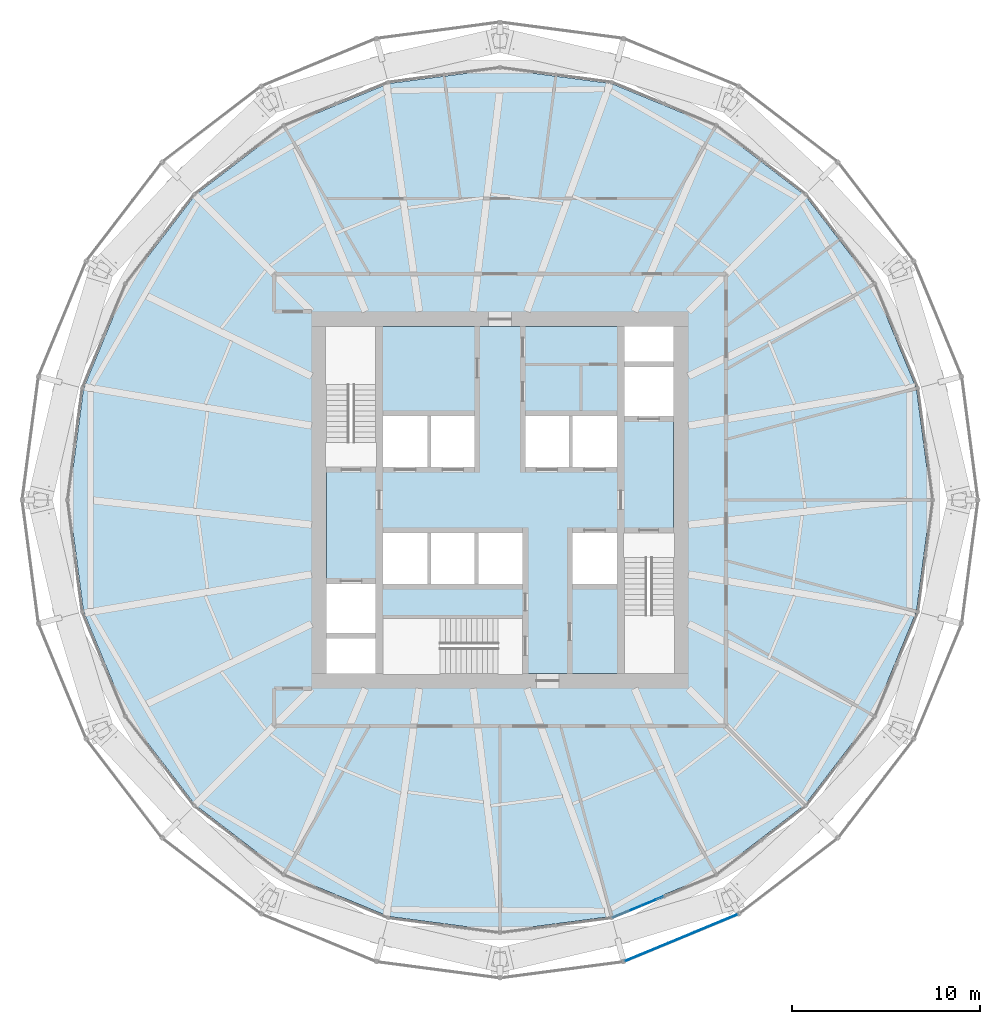
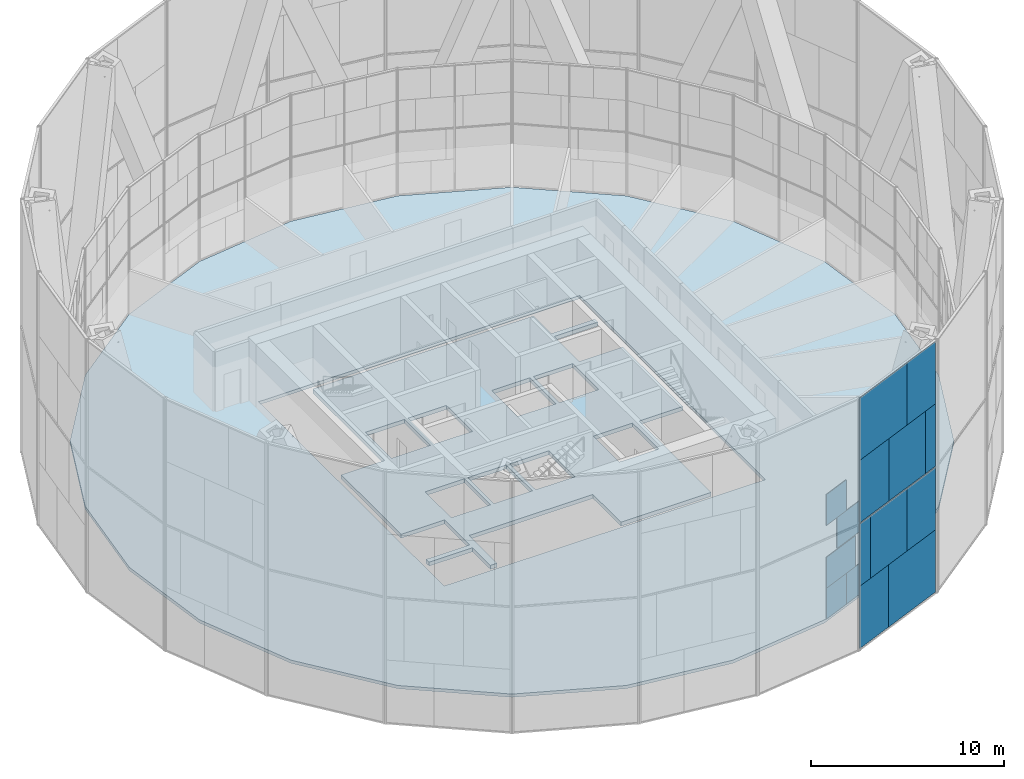
# One storey, part 13 of 22: 15 plates, 2 slabs, 2 elements without a shape of their own.
"""IFC4 building model written with IfcOpenShell, lengths in metres."""

from ifc_helpers import new_model, si_unit, direction, frame, origin, origin_2d, place, context, subcontext, project, spatial, polyline, rectangle, outline, extrude, material, layer, layer_set, type_object, element, aggregate, save


model = new_model("IFC4")

# Units and contexts
model_context = context("Model", 3, precision=1e-05, world=origin(), true_north=direction((0.0, 1.0)))
body_context = subcontext(model_context, "Body", "Model", "MODEL_VIEW")
ifc_project = project(units=[si_unit("LENGTHUNIT", "METRE"), si_unit("AREAUNIT", "SQUARE_METRE"), si_unit("VOLUMEUNIT", "CUBIC_METRE"), si_unit("PLANEANGLEUNIT", "RADIAN"), si_unit("MASSUNIT", "GRAM", prefix="KILO")], contexts=[model_context])

# Site, building, storey
site_placement = place(None, origin())
site = spatial("IfcSite", under=ifc_project, at=site_placement, CompositionType="ELEMENT")
building_placement = place(site_placement, origin())
building = spatial("IfcBuilding", under=site, at=building_placement, Name="Golbaran Civic Tower", CompositionType="ELEMENT")
storey_placement = place(building_placement, frame((0.0, 0.0, 37.0)))
storey = spatial("IfcBuildingStorey", under=building, at=storey_placement, Name="L08", CompositionType="ELEMENT", Elevation=37.0)

# Slabs
ifc_material_1 = material(Name="Concrete LC30/33 lightweight on steel deck", Category="concrete")
ifc_layer_1 = layer(ifc_material_1, 0.199951171875, Name="Concrete LC30/33 lightweight on steel deck")
ifc_layer_set_1 = layer_set([ifc_layer_1], Name="Concrete LC30/33 lightweight on steel deck")
slab_type_1 = type_object("IfcSlabType", Name="COMPOSITE FLOOR SLAB 200", PredefinedType="FLOOR", material=ifc_layer_set_1)
slab_1_placement = place(storey_placement, frame((0.0, 0.0, -0.199951171875)))
element("IfcSlab", 1, at=slab_1_placement, inside=storey, type_object=slab_type_1, Name="Floor slab L08", PredefinedType="FLOOR", context=body_context, shape_type="SweptSolid", body=[
    extrude(outline(polyline([(19.81494140625, -11.440185546875), (16.1787109375, -16.1787109375), (11.440185546875, -19.81494140625), (5.921875, -22.1005859375), (0.0, -22.88037109375), (-5.921875, -22.1005859375), (-11.440185546875, -19.81494140625), (-16.1787109375, -16.1787109375), (-19.81494140625, -11.440185546875), (-22.1005859375, -5.921875), (-22.88037109375, 0.0), (-22.1005859375, 5.921875), (-19.81494140625, 11.440185546875), (-16.1787109375, 16.1787109375), (-11.440185546875, 19.81494140625), (-5.921875, 22.1005859375), (0.0, 22.88037109375), (5.921875, 22.1005859375), (11.440185546875, 19.81494140625), (16.1787109375, 16.1787109375), (19.81494140625, 11.440185546875), (22.1005859375, 5.921875), (22.88037109375, 0.0), (22.1005859375, -5.921875), (19.81494140625, -11.440185546875)]), holes=[polyline([(-9.60009765625, 9.60009765625), (-9.60009765625, -9.60009765625), (9.60009765625, -9.60009765625), (9.60009765625, 9.60009765625), (-9.60009765625, 9.60009765625)])]), origin(), (0.0, 0.0, 1.0), 0.199951171875),
])
ifc_material_2 = material(Name="Concrete C35/45", Category="concrete")
ifc_layer_2 = layer(ifc_material_2, 0.25, Name="Concrete C35/45")
ifc_layer_set_2 = layer_set([ifc_layer_2], Name="Concrete C35/45")
slab_type_2 = type_object("IfcSlabType", Name="CORE FLOOR SLAB 250", PredefinedType="FLOOR", material=ifc_layer_set_2)
slab_2_placement = place(storey_placement, frame((0.0, 0.0, -0.25)))
element("IfcSlab", 2, at=slab_2_placement, inside=storey, type_object=slab_type_2, Name="Core floor slab L08", PredefinedType="FLOOR", context=body_context, shape_type="SweptSolid", body=[
    extrude(outline(polyline([(6.60009765625, -1.75), (6.60009765625, -9.199951171875), (1.199951171875, -9.199951171875), (1.199951171875, -6.300048828125), (-6.199951171875, -6.300048828125), (-6.199951171875, -9.199951171875), (-6.60009765625, -9.199951171875), (-6.60009765625, -7.35009765625), (-9.199951171875, -7.35009765625), (-9.199951171875, -7.050048828125), (-6.60009765625, -7.050048828125), (-6.60009765625, -4.449951171875), (-9.199951171875, -4.449951171875), (-9.199951171875, 1.75), (-6.60009765625, 1.75), (-6.60009765625, 9.199951171875), (6.60009765625, 9.199951171875), (6.60009765625, 7.35009765625), (9.199951171875, 7.35009765625), (9.199951171875, 7.050048828125), (6.60009765625, 7.050048828125), (6.60009765625, 4.449951171875), (9.199951171875, 4.449951171875), (9.199951171875, -1.75), (6.60009765625, -1.75)]), holes=[polyline([(6.199951171875, -1.75), (3.85009765625, -1.75), (3.85009765625, -4.449951171875), (6.199951171875, -4.449951171875), (6.199951171875, -1.75)]), polyline([(6.199951171875, 4.449951171875), (3.85009765625, 4.449951171875), (3.85009765625, 1.75), (6.199951171875, 1.75), (6.199951171875, 4.449951171875)]), polyline([(3.64990234375, 4.449951171875), (1.35009765625, 4.449951171875), (1.35009765625, 1.75), (3.64990234375, 1.75), (3.64990234375, 4.449951171875)]), polyline([(1.199951171875, -1.75), (-1.14990234375, -1.75), (-1.14990234375, -4.449951171875), (1.199951171875, -4.449951171875), (1.199951171875, -1.75)]), polyline([(-1.35009765625, 4.449951171875), (-3.64990234375, 4.449951171875), (-3.64990234375, 1.75), (-1.35009765625, 1.75), (-1.35009765625, 4.449951171875)]), polyline([(-1.35009765625, -1.75), (-3.64990234375, -1.75), (-3.64990234375, -4.449951171875), (-1.35009765625, -4.449951171875), (-1.35009765625, -1.75)]), polyline([(-3.85009765625, -1.75), (-6.199951171875, -1.75), (-6.199951171875, -4.449951171875), (-3.85009765625, -4.449951171875), (-3.85009765625, -1.75)]), polyline([(-3.85009765625, 4.449951171875), (-6.199951171875, 4.449951171875), (-6.199951171875, 1.75), (-3.85009765625, 1.75), (-3.85009765625, 4.449951171875)])]), origin(), (0.0, 0.0, 1.0), 0.25),
])

# Curtain wall, plates
ifc_material_3 = material(Name="Aluminium and glass", Category="aluminium")
curtain_wall_type_1 = type_object("IfcCurtainWallType", Name="INNER SKIN CURTAIN WALL", PredefinedType="NOTDEFINED", material=ifc_material_3)
curtain_wall_1_placement = place(storey_placement, origin())
curtain_wall_1 = element("IfcCurtainWall", 3, at=curtain_wall_1_placement, inside=storey, type_object=curtain_wall_type_1, Name="Inner skin L08 facet 20 CW1", ObjectType="INNER SKIN", PredefinedType="USERDEFINED")
ifc_material_4 = material(Name="Clear insulating glass", Category="glass")
ifc_layer_3 = layer(ifc_material_4, 0.031982421875, Name="Clear insulating glass")
ifc_layer_set_3 = layer_set([ifc_layer_3], Name="Clear insulating glass")
plate_type_1 = type_object("IfcPlateType", Name="INNER SKIN CURTAIN WALL GLAZED PANEL", PredefinedType="CURTAIN_PANEL", material=ifc_layer_set_3)
plate_1_placement = place(storey_placement, frame((8.12744140625, -21.273681640625, 0.06494140625), z_axis=(0.0, 0.0, 1.0), x_axis=(0.923879532511, 0.382683432365, 0.0)))
plate_1 = element("IfcPlate", 4, at=plate_1_placement, type_object=plate_type_1, Name="CW1 panel 1.1 part 2", PredefinedType="CURTAIN_PANEL", context=body_context, shape_type="SweptSolid", body=[
    extrude(rectangle(XDim=1.199462890625, YDim=0.031982421875, at=origin_2d()), origin(), (0.0, 0.0, 1.0), 1.951171875),
])
plate_2_placement = place(storey_placement, frame((6.776611328125, -21.833251953125, 5.98388671875), z_axis=(0.0, 0.0, 1.0), x_axis=(0.923879532511, 0.382683432365, 0.0)))
plate_2 = element("IfcPlate", 5, at=plate_2_placement, type_object=plate_type_1, Name="CW1 panel 1.2 part 3", PredefinedType="CURTAIN_PANEL", context=body_context, shape_type="SweptSolid", body=[
    extrude(rectangle(XDim=1.675048828125, YDim=0.031982421875, at=origin_2d()), origin(), (0.0, 0.0, 1.0), 1.951171875),
])
ifc_material_5 = material(Name="Aluminium faced opaque infill panel", Category="aluminium")
ifc_layer_4 = layer(ifc_material_5, 0.031982421875, Name="Aluminium faced opaque infill panel")
ifc_layer_set_4 = layer_set([ifc_layer_4], Name="Aluminium faced opaque infill panel")
plate_type_2 = type_object("IfcPlateType", Name="INNER SKIN CURTAIN WALL OPAQUE INFILL PANEL", PredefinedType="CURTAIN_PANEL", material=ifc_layer_set_4)
plate_3_placement = place(storey_placement, frame((6.7880859375, -21.828369140625, 0.06494140625), z_axis=(0.0, 0.0, 1.0), x_axis=(0.923879532511, 0.382683432365, 0.0)))
plate_3 = element("IfcPlate", 6, at=plate_3_placement, type_object=plate_type_2, Name="CW1 infill panel 1.1 part 1", PredefinedType="CURTAIN_PANEL", context=body_context, shape_type="SweptSolid", body=[
    extrude(rectangle(XDim=1.699951171875, YDim=0.031982421875, at=origin_2d()), origin(), (0.0, 0.0, 1.0), 1.951171875),
])
plate_4_placement = place(storey_placement, frame((7.142333984375, -21.681640625, 2.016357421875), z_axis=(0.0, 0.0, 1.0), x_axis=(0.923879532511, 0.382683432365, 0.0)))
plate_4 = element("IfcPlate", 7, at=plate_4_placement, type_object=plate_type_2, Name="CW1 infill panel 1.1 part 3", PredefinedType="CURTAIN_PANEL", context=body_context, shape_type="SweptSolid", body=[
    extrude(rectangle(XDim=2.467041015625, YDim=0.031982421875, at=origin_2d()), origin(), (0.0, 0.0, 1.0), 1.951171875),
])
plate_5_placement = place(storey_placement, frame((7.758056640625, -21.4267578125, 4.032470703125), z_axis=(0.0, 0.0, 1.0), x_axis=(0.923879532511, 0.382683432365, 0.0)))
plate_5 = element("IfcPlate", 8, at=plate_5_placement, type_object=plate_type_2, Name="CW1 infill panel 1.2 part 2", PredefinedType="CURTAIN_PANEL", context=body_context, shape_type="SweptSolid", body=[
    extrude(rectangle(XDim=1.99951171875, YDim=0.031982421875, at=origin_2d()), origin(), (0.0, 0.0, 1.0), 1.951171875),
])
aggregate(curtain_wall_1, [plate_3, plate_1, plate_4, plate_5, plate_2])

curtain_wall_type_2 = type_object("IfcCurtainWallType", Name="OUTER SKIN TERRACOTTA SCREEN", PredefinedType="NOTDEFINED", material=ifc_material_3)
curtain_wall_2_placement = place(storey_placement, origin())
curtain_wall_2 = element("IfcCurtainWall", 9, at=curtain_wall_2_placement, inside=storey, type_object=curtain_wall_type_2, Name="Outer skin L08 facet 20 CW3", ObjectType="OUTER SKIN", PredefinedType="USERDEFINED")
ifc_material_6 = material(Name="Clear laminated glass", Category="glass")
ifc_layer_5 = layer(ifc_material_6, 0.0400390625, Name="Clear laminated glass")
ifc_layer_set_5 = layer_set([ifc_layer_5], Name="Clear laminated glass")
plate_type_3 = type_object("IfcPlateType", Name="OUTER SKIN CLEAR GLASS PANEL", PredefinedType="CURTAIN_PANEL", material=ifc_layer_set_5)
plate_6_placement = place(storey_placement, frame((10.760009765625, -22.76416015625, -0.6298828125), z_axis=(0.0, 0.0, 1.0), x_axis=(0.923879532471, 0.382683432462, 0.0)))
plate_6 = element("IfcPlate", 10, at=plate_6_placement, type_object=plate_type_3, Name="CW3 panel 1.1 part 2", PredefinedType="CURTAIN_PANEL", context=body_context, shape_type="SweptSolid", body=[
    extrude(rectangle(XDim=4.0029296875, YDim=0.0400390625, at=origin_2d()), origin(), (0.0, 0.0, 1.0), 3.93994140625),
])
plate_7_placement = place(storey_placement, frame((7.05810546875, -24.297607421875, 3.31005859375), z_axis=(0.0, 0.0, 1.0), x_axis=(0.923879532471, 0.382683432462, 0.0)))
plate_7 = element("IfcPlate", 11, at=plate_7_placement, type_object=plate_type_3, Name="CW3 panel 1.1 part 3", PredefinedType="CURTAIN_PANEL", context=body_context, shape_type="SweptSolid", body=[
    extrude(rectangle(XDim=0.906982421875, YDim=0.0400390625, at=origin_2d()), origin(), (0.0, 0.0, 1.0), 3.93994140625),
])
plate_8_placement = place(storey_placement, frame((11.482421875, -22.46484375, 3.31005859375), z_axis=(0.0, 0.0, 1.0), x_axis=(0.923879532471, 0.382683432462, 0.0)))
plate_8 = element("IfcPlate", 12, at=plate_8_placement, type_object=plate_type_3, Name="CW3 panel 1.1 part 5", PredefinedType="CURTAIN_PANEL", context=body_context, shape_type="SweptSolid", body=[
    extrude(rectangle(XDim=2.43896484375, YDim=0.0400390625, at=origin_2d()), origin(), (0.0, 0.0, 1.0), 3.93994140625),
])
plate_9_placement = place(storey_placement, frame((7.788330078125, -23.9951171875, 7.330078125), z_axis=(0.0, 0.0, 1.0), x_axis=(0.923879532471, 0.382683432462, 0.0)))
plate_9 = element("IfcPlate", 13, at=plate_9_placement, type_object=plate_type_3, Name="CW3 panel 1.2 part 1", PredefinedType="CURTAIN_PANEL", context=body_context, shape_type="SweptSolid", body=[
    extrude(rectangle(XDim=2.488037109375, YDim=0.0400390625, at=origin_2d()), origin(), (0.0, 0.0, 1.0), 3.93994140625),
])
plate_10_placement = place(storey_placement, frame((12.22021484375, -22.1591796875, 7.330078125), z_axis=(0.0, 0.0, 1.0), x_axis=(0.923879532471, 0.382683432462, 0.0)))
plate_10 = element("IfcPlate", 14, at=plate_10_placement, type_object=plate_type_3, Name="CW3 panel 1.2 part 3", PredefinedType="CURTAIN_PANEL", context=body_context, shape_type="SweptSolid", body=[
    extrude(rectangle(XDim=0.841796875, YDim=0.0400390625, at=origin_2d()), origin(), (0.0, 0.0, 1.0), 3.93994140625),
])
plate_11_placement = place(storey_placement, frame((8.50390625, -23.69873046875, 11.27001953125), z_axis=(0.0, 0.0, 1.0), x_axis=(0.923879532471, 0.382683432462, 0.0)))
plate_11 = element("IfcPlate", 15, at=plate_11_placement, type_object=plate_type_3, Name="CW3 panel 1.2 part 4", PredefinedType="CURTAIN_PANEL", context=body_context, shape_type="SweptSolid", body=[
    extrude(rectangle(XDim=4.037109375, YDim=0.0400390625, at=origin_2d()), origin(), (0.0, 0.0, 1.0), 3.93994140625),
])
ifc_material_7 = material(Name="Terracotta baguette screen", Category="masonry")
ifc_layer_6 = layer(ifc_material_7, 0.0400390625, Name="Terracotta baguette screen")
ifc_layer_set_6 = layer_set([ifc_layer_6], Name="Terracotta baguette screen")
plate_type_4 = type_object("IfcPlateType", Name="OUTER SKIN TERRACOTTA INFILL PANEL", PredefinedType="CURTAIN_PANEL", material=ifc_layer_set_6)
plate_12_placement = place(storey_placement, frame((7.77490234375, -24.00048828125, -0.6298828125), z_axis=(0.0, 0.0, 1.0), x_axis=(0.923879532471, 0.382683432462, 0.0)))
plate_12 = element("IfcPlate", 16, at=plate_12_placement, type_object=plate_type_4, Name="CW3 infill panel 1.1 part 1", PredefinedType="CURTAIN_PANEL", context=body_context, shape_type="SweptSolid", body=[
    extrude(rectangle(XDim=2.458984375, YDim=0.0400390625, at=origin_2d()), origin(), (0.0, 0.0, 1.0), 3.93994140625),
])
plate_13_placement = place(storey_placement, frame((8.91650390625, -23.52783203125, 3.31005859375), z_axis=(0.0, 0.0, 1.0), x_axis=(0.923879532471, 0.382683432462, 0.0)))
plate_13 = element("IfcPlate", 17, at=plate_13_placement, type_object=plate_type_4, Name="CW3 infill panel 1.1 part 4", PredefinedType="CURTAIN_PANEL", context=body_context, shape_type="SweptSolid", body=[
    extrude(rectangle(XDim=3.115966796875, YDim=0.0400390625, at=origin_2d()), origin(), (0.0, 0.0, 1.0), 3.93994140625),
])
plate_14_placement = place(storey_placement, frame((10.384521484375, -22.919677734375, 7.330078125), z_axis=(0.0, 0.0, 1.0), x_axis=(0.923879532471, 0.382683432462, 0.0)))
plate_14 = element("IfcPlate", 18, at=plate_14_placement, type_object=plate_type_4, Name="CW3 infill panel 1.2 part 2", PredefinedType="CURTAIN_PANEL", context=body_context, shape_type="SweptSolid", body=[
    extrude(rectangle(XDim=3.132080078125, YDim=0.0400390625, at=origin_2d()), origin(), (0.0, 0.0, 1.0), 3.93994140625),
])
plate_15_placement = place(storey_placement, frame((11.489013671875, -22.462158203125, 11.27001953125), z_axis=(0.0, 0.0, 1.0), x_axis=(0.923879532471, 0.382683432462, 0.0)))
plate_15 = element("IfcPlate", 19, at=plate_15_placement, type_object=plate_type_4, Name="CW3 infill panel 1.2 part 5", PredefinedType="CURTAIN_PANEL", context=body_context, shape_type="SweptSolid", body=[
    extrude(rectangle(XDim=2.4248046875, YDim=0.0400390625, at=origin_2d()), origin(), (0.0, 0.0, 1.0), 3.93994140625),
])
aggregate(curtain_wall_2, [plate_12, plate_6, plate_7, plate_13, plate_8, plate_9, plate_14, plate_10, plate_11, plate_15])

save(model, "model.ifc")
